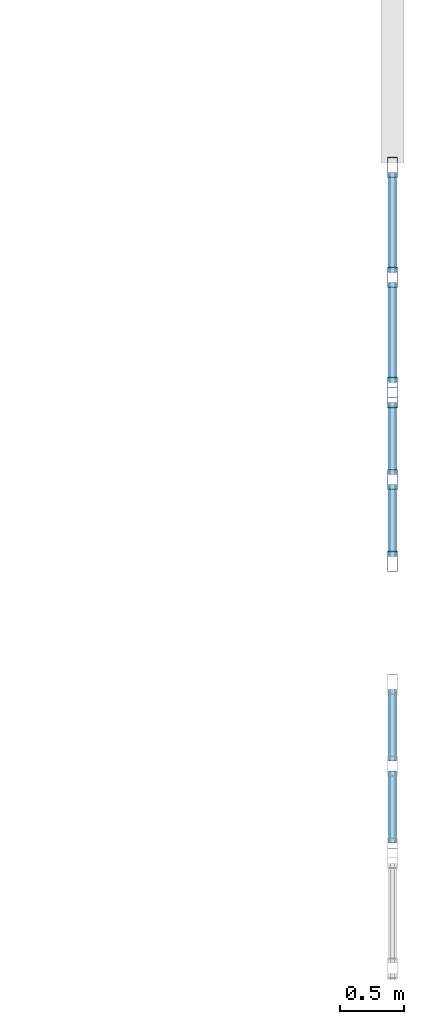
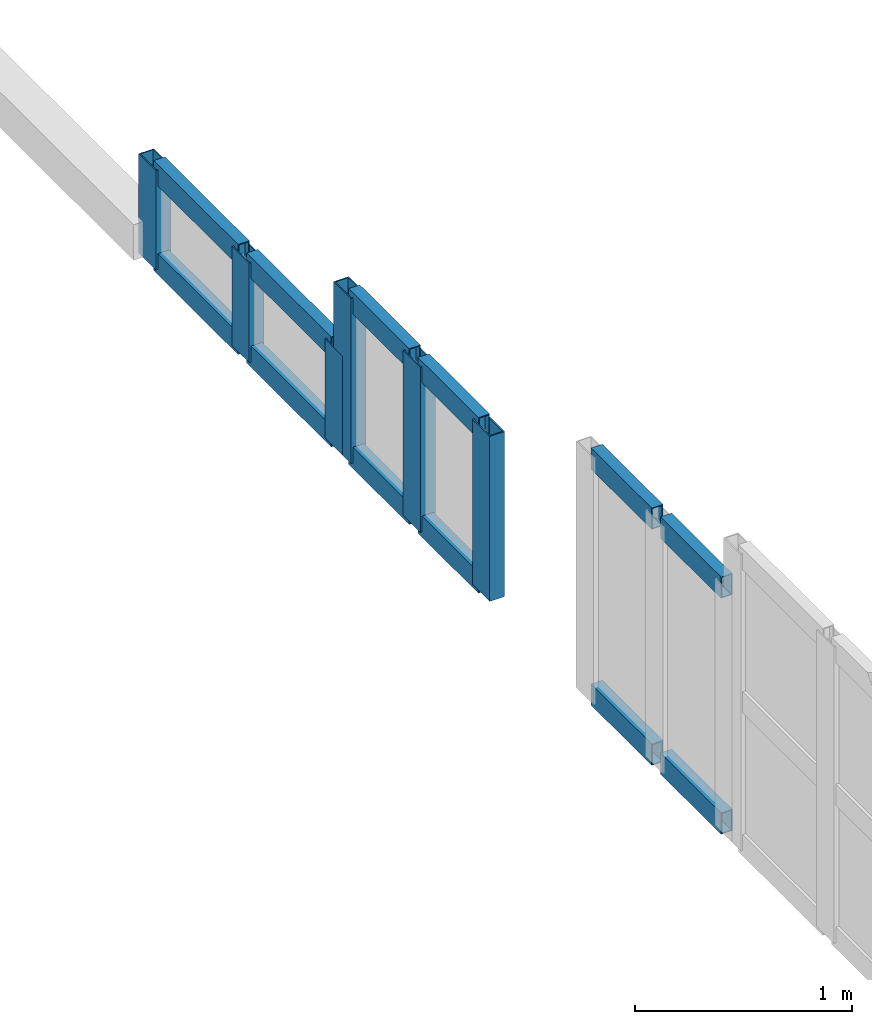
# One storey, part 9 of 20: 18 members, 3 elements without a shape of their own.
"""IFC4 building model written with IfcOpenShell, lengths in metres."""

from ifc_helpers import new_model, si_unit, direction, frame, origin, origin_2d, place, context, subcontext, project, spatial, hollow_rectangle, extrude, material, layer, layer_set, material_profile, profile_set, type_object, element, aggregate, save


model = new_model("IFC4")

# Units and contexts
model_context = context("Model", 3, precision=1e-05, world=origin(), true_north=direction((0.0, 1.0)))
body_context = subcontext(model_context, "Body", "Model", "MODEL_VIEW")
ifc_project = project(units=[si_unit("LENGTHUNIT", "METRE"), si_unit("AREAUNIT", "SQUARE_METRE"), si_unit("VOLUMEUNIT", "CUBIC_METRE"), si_unit("PLANEANGLEUNIT", "RADIAN"), si_unit("MASSUNIT", "GRAM", prefix="KILO"), si_unit("THERMODYNAMICTEMPERATUREUNIT", "KELVIN"), si_unit("POWERUNIT", "WATT")], contexts=[model_context])

# Site, building, storey
site_placement = place(None, origin())
site = spatial("IfcSite", under=ifc_project, at=site_placement, CompositionType="ELEMENT")
building_placement = place(site_placement, origin())
building = spatial("IfcBuilding", under=site, at=building_placement, Name="Kaldorven Railside Theatre", CompositionType="ELEMENT")
storey_placement = place(building_placement, frame((0.0, 0.0, 23.10009765625)))
storey = spatial("IfcBuildingStorey", under=building, at=storey_placement, Name="L05", CompositionType="ELEMENT", Elevation=23.10009765625)

# Curtain wall, members
ifc_material_1 = material(Name="Low-E laminated solar-control glass", Category="glass")
ifc_layer_1 = layer(ifc_material_1, 0.159912109375, Name="Low-E laminated solar-control glass")
ifc_layer_set_1 = layer_set([ifc_layer_1], Name="Low-E laminated solar-control glass")
curtain_wall_type_1 = type_object("IfcCurtainWallType", Name="CWT-72", PredefinedType="USERDEFINED", material=ifc_layer_set_1)
curtain_wall_1_placement = place(storey_placement, origin())
curtain_wall_1 = element("IfcCurtainWall", 1, at=curtain_wall_1_placement, inside=storey, type_object=curtain_wall_type_1, Name="Production East Gable Clerestory CWG-182", ObjectType="FLUTED GLAZING", PredefinedType="USERDEFINED")
ifc_material_2 = material(Name="Anodised bronze aluminium", Category="aluminium")
ifc_material_profile_1 = material_profile(ifc_material_2, hollow_rectangle(XDim=0.080078125, YDim=0.159912109375, WallThickness=0.00634765625, at=origin_2d()), Name="RHS 160x80x6.3")
ifc_profile_set_1 = profile_set([ifc_material_profile_1], Name="Anodised bronze aluminium")
member_type_1 = type_object("IfcMemberType", Name="CWM-160", PredefinedType="MULLION", material=ifc_profile_set_1)
member_1_placement = place(storey_placement, frame((166.39990234375, 134.8798828125, 0.02001953125), z_axis=(0.0, 0.0, 1.0), x_axis=(-1.0, 0.0, 0.0)))
member_1 = element("IfcMember", 2, at=member_1_placement, type_object=member_type_1, Name="CWG-182 mullion 1", PredefinedType="MULLION", context=body_context, shape_type="SweptSolid", body=[
    extrude(hollow_rectangle(XDim=0.080078125, YDim=0.159912109375, WallThickness=0.00634765625, at=origin_2d()), origin(), (0.0, 0.0, 1.0), 0.929931640625),
])
member_2_placement = place(storey_placement, frame((166.39990234375, 135.52001953125, 0.02001953125), z_axis=(0.0, 0.0, 1.0), x_axis=(-1.0, 0.0, 0.0)))
member_2 = element("IfcMember", 3, at=member_2_placement, type_object=member_type_1, Name="CWG-182 mullion 2", PredefinedType="MULLION", context=body_context, shape_type="SweptSolid", body=[
    extrude(hollow_rectangle(XDim=0.080078125, YDim=0.159912109375, WallThickness=0.00634765625, at=origin_2d()), origin(), (0.0, 0.0, 1.0), 0.929931640625),
])
member_3_placement = place(storey_placement, frame((166.39990234375, 136.159912109375, 0.02001953125), z_axis=(0.0, 0.0, 1.0), x_axis=(-1.0, 0.0, 0.0)))
member_3 = element("IfcMember", 4, at=member_3_placement, type_object=member_type_1, Name="CWG-182 mullion 3", PredefinedType="MULLION", context=body_context, shape_type="SweptSolid", body=[
    extrude(hollow_rectangle(XDim=0.080078125, YDim=0.159912109375, WallThickness=0.00634765625, at=origin_2d()), origin(), (0.0, 0.0, 1.0), 0.929931640625),
])

ifc_layer_2 = layer(ifc_material_1, 0.159912109375, Name="Low-E laminated solar-control glass")
ifc_layer_set_2 = layer_set([ifc_layer_2], Name="Low-E laminated solar-control glass")
curtain_wall_type_2 = type_object("IfcCurtainWallType", Name="CWT-71", PredefinedType="USERDEFINED", material=ifc_layer_set_2)
curtain_wall_2_placement = place(storey_placement, origin())
curtain_wall_2 = element("IfcCurtainWall", 5, at=curtain_wall_2_placement, inside=storey, type_object=curtain_wall_type_2, Name="Production East Gable Clerestory CWG-183", ObjectType="FLUTED GLAZING", PredefinedType="USERDEFINED")
member_4_placement = place(storey_placement, frame((166.39990234375, 136.239990234375, 0.02001953125), z_axis=(0.0, 0.0, 1.0), x_axis=(-1.0, 0.0, 0.0)))
member_4 = element("IfcMember", 6, at=member_4_placement, type_object=member_type_1, Name="CWG-183 mullion 1", PredefinedType="MULLION", context=body_context, shape_type="SweptSolid", body=[
    extrude(hollow_rectangle(XDim=0.080078125, YDim=0.159912109375, WallThickness=0.00634765625, at=origin_2d()), origin(), (0.0, 0.0, 1.0), 0.559814453125),
])
member_5_placement = place(storey_placement, frame((166.39990234375, 137.10009765625, 0.02001953125), z_axis=(0.0, 0.0, 1.0), x_axis=(-1.0, 0.0, 0.0)))
member_5 = element("IfcMember", 7, at=member_5_placement, type_object=member_type_1, Name="CWG-183 mullion 2", PredefinedType="MULLION", context=body_context, shape_type="SweptSolid", body=[
    extrude(hollow_rectangle(XDim=0.080078125, YDim=0.159912109375, WallThickness=0.00634765625, at=origin_2d()), origin(), (0.0, 0.0, 1.0), 0.559814453125),
])
member_6_placement = place(storey_placement, frame((166.39990234375, 137.9599609375, 0.02001953125), z_axis=(0.0, 0.0, 1.0), x_axis=(-1.0, 0.0, 0.0)))
member_6 = element("IfcMember", 8, at=member_6_placement, type_object=member_type_1, Name="CWG-183 mullion 3", PredefinedType="MULLION", context=body_context, shape_type="SweptSolid", body=[
    extrude(hollow_rectangle(XDim=0.080078125, YDim=0.159912109375, WallThickness=0.00634765625, at=origin_2d()), origin(), (0.0, 0.0, 1.0), 0.559814453125),
])

ifc_layer_3 = layer(ifc_material_1, 0.159912109375, Name="Low-E laminated solar-control glass")
ifc_layer_set_3 = layer_set([ifc_layer_3], Name="Low-E laminated solar-control glass")
curtain_wall_type_3 = type_object("IfcCurtainWallType", Name="CWT-73", PredefinedType="USERDEFINED", material=ifc_layer_set_3)
curtain_wall_3_placement = place(storey_placement, origin())
curtain_wall_3 = element("IfcCurtainWall", 9, at=curtain_wall_3_placement, inside=storey, type_object=curtain_wall_type_3, Name="Production East Gable Clerestory CWG-181", ObjectType="FLUTED GLAZING", PredefinedType="USERDEFINED")
ifc_material_profile_2 = material_profile(ifc_material_2, hollow_rectangle(XDim=0.06005859375, YDim=0.1201171875, WallThickness=0.0048828125, at=origin_2d()), Name="RHS 120x60x5")
ifc_profile_set_2 = profile_set([ifc_material_profile_2], Name="Anodised bronze aluminium")
member_type_2 = type_object("IfcMemberType", Name="CWT-120", PredefinedType="USERDEFINED", material=ifc_profile_set_2)
member_7_placement = place(storey_placement, frame((166.39990234375, 132.679931640625, 0.0498046875), z_axis=(0.0, 1.0, 0.0), x_axis=(-1.0, 0.0, 0.0)))
member_7 = element("IfcMember", 10, at=member_7_placement, type_object=member_type_2, Name="CWG-181 transom 1.1", ObjectType="TRANSOM", PredefinedType="USERDEFINED", context=body_context, shape_type="SweptSolid", body=[
    extrude(hollow_rectangle(XDim=0.06005859375, YDim=0.1201171875, WallThickness=0.0048828125, at=origin_2d()), origin(), (0.0, 0.0, 1.0), 0.56005859375),
])
member_8_placement = place(storey_placement, frame((166.39990234375, 132.679931640625, 1.3798828125), z_axis=(0.0, 1.0, 0.0), x_axis=(-1.0, 0.0, 0.0)))
member_8 = element("IfcMember", 11, at=member_8_placement, type_object=member_type_2, Name="CWG-181 transom 1.2", ObjectType="TRANSOM", PredefinedType="USERDEFINED", context=body_context, shape_type="SweptSolid", body=[
    extrude(hollow_rectangle(XDim=0.06005859375, YDim=0.1201171875, WallThickness=0.0048828125, at=origin_2d()), origin(), (0.0, 0.0, 1.0), 0.56005859375),
])
member_9_placement = place(storey_placement, frame((166.39990234375, 133.320068359375, 0.0498046875), z_axis=(0.0, 1.0, 0.0), x_axis=(-1.0, 0.0, 0.0)))
member_9 = element("IfcMember", 12, at=member_9_placement, type_object=member_type_2, Name="CWG-181 transom 2.1", ObjectType="TRANSOM", PredefinedType="USERDEFINED", context=body_context, shape_type="SweptSolid", body=[
    extrude(hollow_rectangle(XDim=0.06005859375, YDim=0.1201171875, WallThickness=0.0048828125, at=origin_2d()), origin(), (0.0, 0.0, 1.0), 0.559814453125),
])
member_10_placement = place(storey_placement, frame((166.39990234375, 133.320068359375, 1.3798828125), z_axis=(0.0, 1.0, 0.0), x_axis=(-1.0, 0.0, 0.0)))
member_10 = element("IfcMember", 13, at=member_10_placement, type_object=member_type_2, Name="CWG-181 transom 2.2", ObjectType="TRANSOM", PredefinedType="USERDEFINED", context=body_context, shape_type="SweptSolid", body=[
    extrude(hollow_rectangle(XDim=0.06005859375, YDim=0.1201171875, WallThickness=0.0048828125, at=origin_2d()), origin(), (0.0, 0.0, 1.0), 0.559814453125),
])
aggregate(curtain_wall_3, [member_7, member_8, member_9, member_10])

# Member
member_11_placement = place(storey_placement, frame((166.39990234375, 134.919921875, 0.0498046875), z_axis=(0.0, 1.0, 0.0), x_axis=(-1.0, 0.0, 0.0)))
member_11 = element("IfcMember", 14, at=member_11_placement, type_object=member_type_2, Name="CWG-182 transom 1.1", ObjectType="TRANSOM", PredefinedType="USERDEFINED", context=body_context, shape_type="SweptSolid", body=[
    extrude(hollow_rectangle(XDim=0.06005859375, YDim=0.1201171875, WallThickness=0.0048828125, at=origin_2d()), origin(), (0.0, 0.0, 1.0), 0.56005859375),
])

member_12_placement = place(storey_placement, frame((166.39990234375, 134.919921875, 0.919921875), z_axis=(0.0, 1.0, 0.0), x_axis=(-1.0, 0.0, 0.0)))
member_12 = element("IfcMember", 15, at=member_12_placement, type_object=member_type_2, Name="CWG-182 transom 1.2", ObjectType="TRANSOM", PredefinedType="USERDEFINED", context=body_context, shape_type="SweptSolid", body=[
    extrude(hollow_rectangle(XDim=0.06005859375, YDim=0.1201171875, WallThickness=0.0048828125, at=origin_2d()), origin(), (0.0, 0.0, 1.0), 0.56005859375),
])

member_13_placement = place(storey_placement, frame((166.39990234375, 135.56005859375, 0.0498046875), z_axis=(0.0, 1.0, 0.0), x_axis=(-1.0, 0.0, 0.0)))
member_13 = element("IfcMember", 16, at=member_13_placement, type_object=member_type_2, Name="CWG-182 transom 2.1", ObjectType="TRANSOM", PredefinedType="USERDEFINED", context=body_context, shape_type="SweptSolid", body=[
    extrude(hollow_rectangle(XDim=0.06005859375, YDim=0.1201171875, WallThickness=0.0048828125, at=origin_2d()), origin(), (0.0, 0.0, 1.0), 0.56005859375),
])

member_14_placement = place(storey_placement, frame((166.39990234375, 135.56005859375, 0.919921875), z_axis=(0.0, 1.0, 0.0), x_axis=(-1.0, 0.0, 0.0)))
member_14 = element("IfcMember", 17, at=member_14_placement, type_object=member_type_2, Name="CWG-182 transom 2.2", ObjectType="TRANSOM", PredefinedType="USERDEFINED", context=body_context, shape_type="SweptSolid", body=[
    extrude(hollow_rectangle(XDim=0.06005859375, YDim=0.1201171875, WallThickness=0.0048828125, at=origin_2d()), origin(), (0.0, 0.0, 1.0), 0.56005859375),
])

aggregate(curtain_wall_1, [member_1, member_2, member_3, member_11, member_12, member_13, member_14])

member_15_placement = place(storey_placement, frame((166.39990234375, 136.280029296875, 0.0498046875), z_axis=(0.0, 1.0, 0.0), x_axis=(-1.0, 0.0, 0.0)))
member_15 = element("IfcMember", 18, at=member_15_placement, type_object=member_type_2, Name="CWG-183 transom 1.1", ObjectType="TRANSOM", PredefinedType="USERDEFINED", context=body_context, shape_type="SweptSolid", body=[
    extrude(hollow_rectangle(XDim=0.06005859375, YDim=0.1201171875, WallThickness=0.0048828125, at=origin_2d()), origin(), (0.0, 0.0, 1.0), 0.780029296875),
])

member_16_placement = place(storey_placement, frame((166.39990234375, 136.280029296875, 0.5498046875), z_axis=(0.0, 1.0, 0.0), x_axis=(-1.0, 0.0, 0.0)))
member_16 = element("IfcMember", 19, at=member_16_placement, type_object=member_type_2, Name="CWG-183 transom 1.2", ObjectType="TRANSOM", PredefinedType="USERDEFINED", context=body_context, shape_type="SweptSolid", body=[
    extrude(hollow_rectangle(XDim=0.06005859375, YDim=0.1201171875, WallThickness=0.0048828125, at=origin_2d()), origin(), (0.0, 0.0, 1.0), 0.780029296875),
])

member_17_placement = place(storey_placement, frame((166.39990234375, 137.139892578125, 0.0498046875), z_axis=(0.0, 1.0, 0.0), x_axis=(-1.0, 0.0, 0.0)))
member_17 = element("IfcMember", 20, at=member_17_placement, type_object=member_type_2, Name="CWG-183 transom 2.1", ObjectType="TRANSOM", PredefinedType="USERDEFINED", context=body_context, shape_type="SweptSolid", body=[
    extrude(hollow_rectangle(XDim=0.06005859375, YDim=0.1201171875, WallThickness=0.0048828125, at=origin_2d()), origin(), (0.0, 0.0, 1.0), 0.780029296875),
])

member_18_placement = place(storey_placement, frame((166.39990234375, 137.139892578125, 0.5498046875), z_axis=(0.0, 1.0, 0.0), x_axis=(-1.0, 0.0, 0.0)))
member_18 = element("IfcMember", 21, at=member_18_placement, type_object=member_type_2, Name="CWG-183 transom 2.2", ObjectType="TRANSOM", PredefinedType="USERDEFINED", context=body_context, shape_type="SweptSolid", body=[
    extrude(hollow_rectangle(XDim=0.06005859375, YDim=0.1201171875, WallThickness=0.0048828125, at=origin_2d()), origin(), (0.0, 0.0, 1.0), 0.780029296875),
])

aggregate(curtain_wall_2, [member_4, member_5, member_6, member_15, member_16, member_17, member_18])

save(model, "model.ifc")
